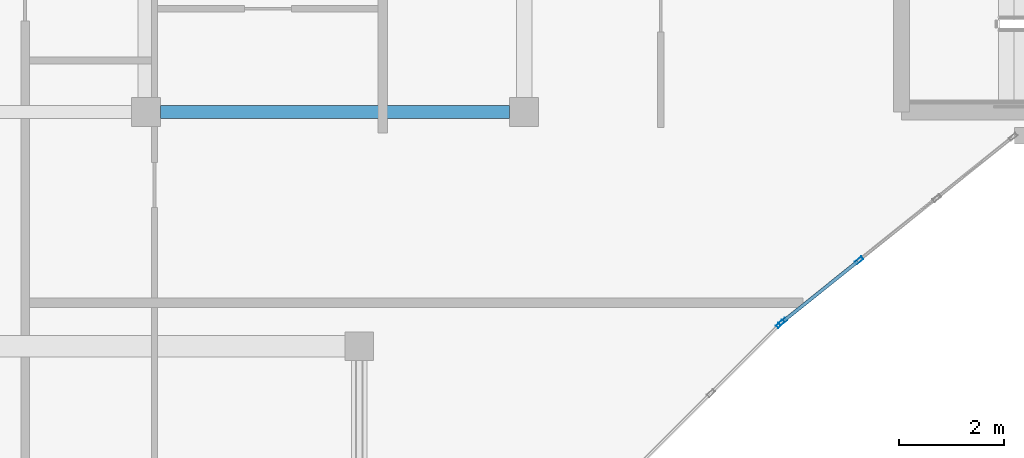
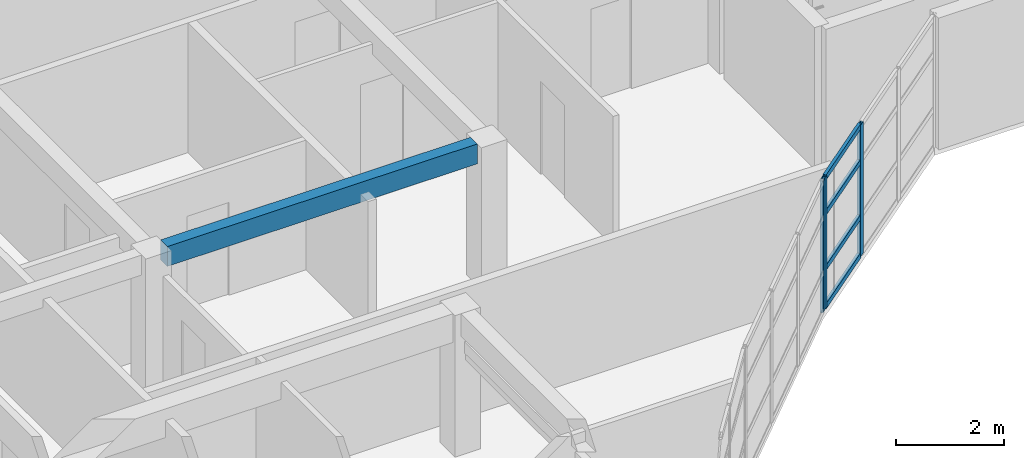
# One storey, part 12 of 49: 7 members, 1 beam, 2 elements without a shape of their own.
"""IFC4 building model written with IfcOpenShell, lengths in metres."""

from ifc_helpers import new_model, si_unit, direction, frame, origin, origin_2d, place, context, subcontext, project, spatial, rectangle, hollow_rectangle, extrude, material, layer, layer_set, material_profile, profile_set, type_object, element, aggregate, save


model = new_model("IFC4")

# Units and contexts
model_context = context("Model", 3, precision=1e-05, world=origin(), true_north=direction((0.0, 1.0)))
body_context = subcontext(model_context, "Body", "Model", "MODEL_VIEW")
ifc_project = project(units=[si_unit("LENGTHUNIT", "METRE"), si_unit("AREAUNIT", "SQUARE_METRE"), si_unit("VOLUMEUNIT", "CUBIC_METRE"), si_unit("PLANEANGLEUNIT", "RADIAN"), si_unit("MASSUNIT", "GRAM", prefix="KILO")], contexts=[model_context])

# Site, building, storey
site_placement = place(None, origin())
site = spatial("IfcSite", under=ifc_project, at=site_placement, CompositionType="ELEMENT")
building_placement = place(site_placement, origin())
building = spatial("IfcBuilding", under=site, at=building_placement, Name="Keldmere Railside Commons", CompositionType="ELEMENT")
storey_placement = place(building_placement, frame((0.0, 0.0, 29.760009765625)))
storey = spatial("IfcBuildingStorey", under=building, at=storey_placement, Name="L09", CompositionType="ELEMENT", Elevation=29.760009765625)

# Beam
ifc_material_1 = material(Name="Architectural Precast Concrete H-35 (C35/45)", Category="concrete")
ifc_material_profile_1 = material_profile(ifc_material_1, rectangle(XDim=0.25, YDim=0.449951171875, at=origin_2d()), Name="RC-250x450")
ifc_profile_set_1 = profile_set([ifc_material_profile_1], Name="Architectural Precast Concrete H-35 (C35/45)")
beam_type = type_object("IfcBeamType", Name="Perimeter Precast Spandrel Beam 250x450", PredefinedType="SPANDREL", material=ifc_profile_set_1)
beam_placement = place(storey_placement, frame((115.77490234375, 100.449951171875, 2.97509765625), z_axis=(1.0, 0.0, 0.0), x_axis=(0.0, 1.0, 0.0)))
element("IfcBeam", 1, at=beam_placement, inside=storey, type_object=beam_type, Name="SPB-1 BM-L09-2298", PredefinedType="SPANDREL", context=body_context, shape_type="SweptSolid", body=[
    extrude(rectangle(XDim=0.25, YDim=0.449951171875, at=origin_2d()), origin(), (0.0, 0.0, 1.0), 6.633056640625),
])

# Curtain wall, member
ifc_material_2 = material(Name="Thermally Broken Aluminium", Category="aluminium")
ifc_layer_1 = layer(ifc_material_2, 0.159912109375, Name="Court Chord Wintergarden CW 5400x2850")
ifc_layer_set_1 = layer_set([ifc_layer_1], Name="Thermally Broken Aluminium")
curtain_wall_type_1 = type_object("IfcCurtainWallType", Name="Court Chord Wintergarden CW 5400x2850", PredefinedType="NOTDEFINED", material=ifc_layer_set_1)
curtain_wall_1_placement = place(storey_placement, origin())
curtain_wall_1 = element("IfcCurtainWall", 2, at=curtain_wall_1_placement, inside=storey, type_object=curtain_wall_type_1, Name="CW-13 CW-L09-140", PredefinedType="NOTDEFINED")
ifc_material_profile_2 = material_profile(ifc_material_2, hollow_rectangle(XDim=0.06494140625, YDim=0.159912109375, WallThickness=0.00390625, at=origin_2d()), Name="ALU-MULL-65x160")
ifc_profile_set_2 = profile_set([ifc_material_profile_2], Name="Thermally Broken Aluminium")
member_type_1 = type_object("IfcMemberType", Name="Unitised Curtain Wall Mullion 65x160", PredefinedType="MULLION", material=ifc_profile_set_2)
member_1_placement = place(storey_placement, frame((127.547119140625, 96.423095703125, 0.0), z_axis=(0.0, 0.0, 1.0), x_axis=(0.707106781187, -0.707106781187, 0.0)))
member_1 = element("IfcMember", 3, at=member_1_placement, type_object=member_type_1, Name="CW-13 mullion 1", PredefinedType="MULLION", context=body_context, shape_type="SweptSolid", body=[
    extrude(hollow_rectangle(XDim=0.06494140625, YDim=0.159912109375, WallThickness=0.00390625, at=origin_2d()), origin(), (0.0, 0.0, 1.0), 2.97998046875),
])
aggregate(curtain_wall_1, [member_1])

# Curtain wall, members
ifc_layer_2 = layer(ifc_material_2, 0.159912109375, Name="Court Chord Wintergarden CW 4800x2850")
ifc_layer_set_2 = layer_set([ifc_layer_2], Name="Thermally Broken Aluminium")
curtain_wall_type_2 = type_object("IfcCurtainWallType", Name="Court Chord Wintergarden CW 4800x2850", PredefinedType="NOTDEFINED", material=ifc_layer_set_2)
curtain_wall_2_placement = place(storey_placement, origin())
curtain_wall_2 = element("IfcCurtainWall", 4, at=curtain_wall_2_placement, inside=storey, type_object=curtain_wall_type_2, Name="CW-12 CW-L09-141", PredefinedType="NOTDEFINED")
member_2_placement = place(storey_placement, frame((129.046630859375, 97.630615234375, 0.0), z_axis=(0.0, 0.0, 1.0), x_axis=(0.625768080915, -0.780009172323, 0.0)))
member_2 = element("IfcMember", 5, at=member_2_placement, type_object=member_type_1, Name="CW-12 mullion 3", PredefinedType="MULLION", context=body_context, shape_type="SweptSolid", body=[
    extrude(hollow_rectangle(XDim=0.06494140625, YDim=0.159912109375, WallThickness=0.00390625, at=origin_2d()), origin(), (0.0, 0.0, 1.0), 2.97998046875),
])
member_3_placement = place(storey_placement, frame((127.595458984375, 96.46630859375, 0.0), z_axis=(0.0, 0.0, 1.0), x_axis=(0.625768080915, -0.780009172323, 0.0)))
member_3 = element("IfcMember", 6, at=member_3_placement, type_object=member_type_1, Name="CW-12 mullion 4", PredefinedType="MULLION", context=body_context, shape_type="SweptSolid", body=[
    extrude(hollow_rectangle(XDim=0.06494140625, YDim=0.159912109375, WallThickness=0.00390625, at=origin_2d()), origin(), (0.0, 0.0, 1.0), 2.97998046875),
])
ifc_material_profile_3 = material_profile(ifc_material_2, hollow_rectangle(XDim=0.06494140625, YDim=0.1201171875, WallThickness=0.00390625, at=origin_2d()), Name="ALU-TRAN-65x120")
ifc_profile_set_3 = profile_set([ifc_material_profile_3], Name="Thermally Broken Aluminium")
member_type_2 = type_object("IfcMemberType", Name="Unitised Curtain Wall Transom 65x120", PredefinedType="USERDEFINED", material=ifc_profile_set_3)
member_4_placement = place(storey_placement, frame((129.021240234375, 97.6103515625, 0.032470703125), z_axis=(-0.779979331565, -0.625805275091, 0.0), x_axis=(0.625805275091, -0.779979331565, 0.0)))
member_4 = element("IfcMember", 7, at=member_4_placement, type_object=member_type_2, Name="CW-12 transom 3.1", ObjectType="TRANSOM", PredefinedType="USERDEFINED", context=body_context, shape_type="SweptSolid", body=[
    extrude(hollow_rectangle(XDim=0.06494140625, YDim=0.1201171875, WallThickness=0.00390625, at=origin_2d()), origin(), (0.0, 0.0, 1.0), 1.795654296875),
])
member_5_placement = place(storey_placement, frame((129.021240234375, 97.6103515625, 0.89990234375), z_axis=(-0.779979331565, -0.625805275091, 0.0), x_axis=(0.625805275091, -0.779979331565, 0.0)))
member_5 = element("IfcMember", 8, at=member_5_placement, type_object=member_type_2, Name="CW-12 transom 3.2", ObjectType="TRANSOM", PredefinedType="USERDEFINED", context=body_context, shape_type="SweptSolid", body=[
    extrude(hollow_rectangle(XDim=0.06494140625, YDim=0.1201171875, WallThickness=0.00390625, at=origin_2d()), origin(), (0.0, 0.0, 1.0), 1.795654296875),
])
member_6_placement = place(storey_placement, frame((129.021240234375, 97.6103515625, 2.14990234375), z_axis=(-0.779979331565, -0.625805275091, 0.0), x_axis=(0.625805275091, -0.779979331565, 0.0)))
member_6 = element("IfcMember", 9, at=member_6_placement, type_object=member_type_2, Name="CW-12 transom 3.3", ObjectType="TRANSOM", PredefinedType="USERDEFINED", context=body_context, shape_type="SweptSolid", body=[
    extrude(hollow_rectangle(XDim=0.06494140625, YDim=0.1201171875, WallThickness=0.00390625, at=origin_2d()), origin(), (0.0, 0.0, 1.0), 1.795654296875),
])
member_7_placement = place(storey_placement, frame((129.021240234375, 97.6103515625, 2.947509765625), z_axis=(-0.779979331565, -0.625805275091, 0.0), x_axis=(0.625805275091, -0.779979331565, 0.0)))
member_7 = element("IfcMember", 10, at=member_7_placement, type_object=member_type_2, Name="CW-12 transom 3.4", ObjectType="TRANSOM", PredefinedType="USERDEFINED", context=body_context, shape_type="SweptSolid", body=[
    extrude(hollow_rectangle(XDim=0.06494140625, YDim=0.1201171875, WallThickness=0.00390625, at=origin_2d()), origin(), (0.0, 0.0, 1.0), 1.795654296875),
])
aggregate(curtain_wall_2, [member_2, member_3, member_4, member_5, member_6, member_7])

save(model, "model.ifc")
